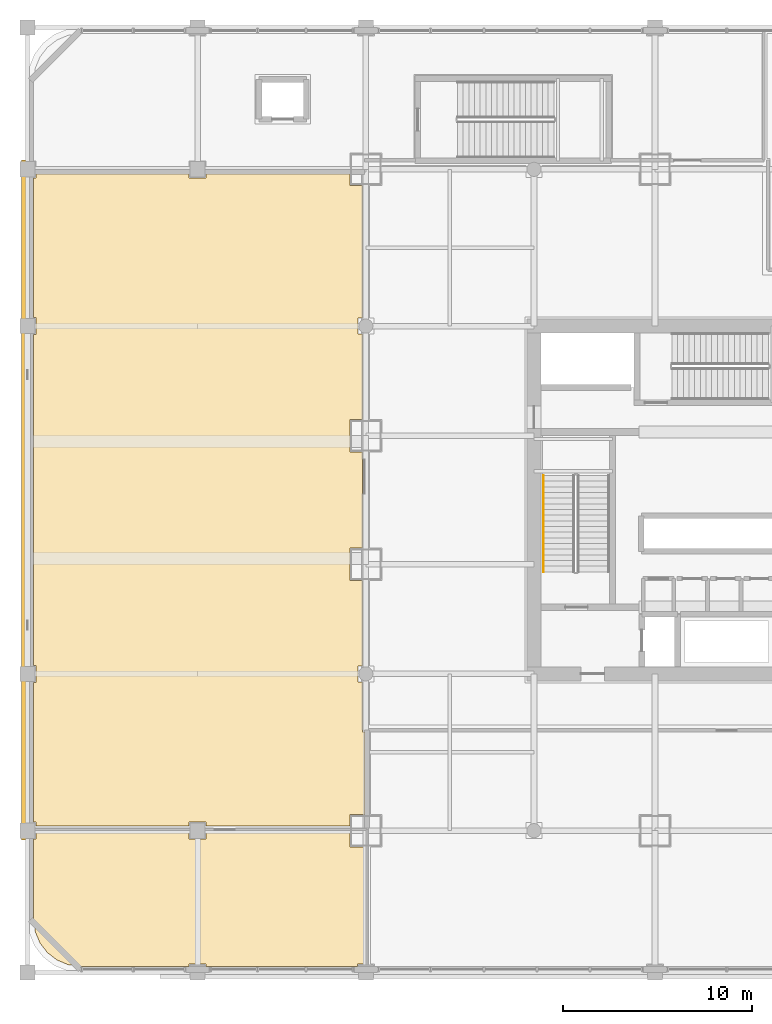
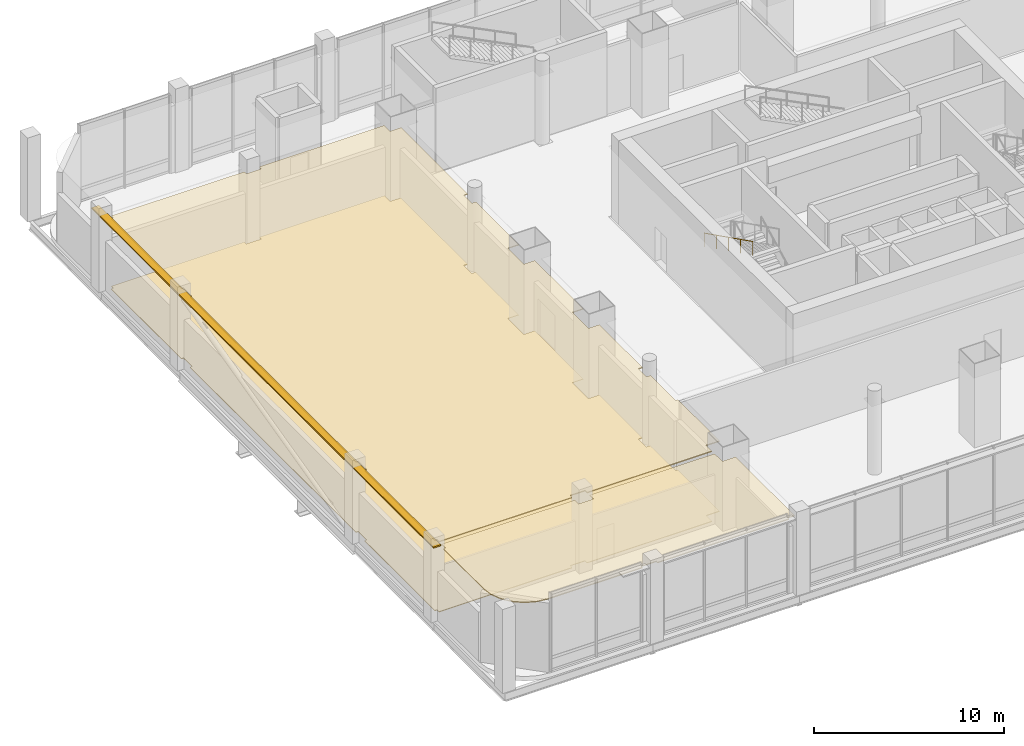
# One storey, part 26 of 35: 3 coverings, 1 railing, 1 shading device.
"""IFC4 building model written with IfcOpenShell, lengths in metres."""

from ifc_helpers import new_model, si_unit, direction, frame, origin, origin_2d, place, context, subcontext, project, spatial, polyline, rectangle, circle, outline, extrude, material, layer, layer_set, material_profile, profile_set, type_object, element, save


model = new_model("IFC4")

# Units and contexts
model_context = context("Model", 3, precision=1e-05, world=origin(), true_north=direction((0.0, 1.0)))
body_context = subcontext(model_context, "Body", "Model", "MODEL_VIEW")
ifc_project = project(units=[si_unit("LENGTHUNIT", "METRE"), si_unit("AREAUNIT", "SQUARE_METRE"), si_unit("VOLUMEUNIT", "CUBIC_METRE"), si_unit("PLANEANGLEUNIT", "RADIAN"), si_unit("MASSUNIT", "GRAM", prefix="KILO")], contexts=[model_context])

# Site, building, storey
site_placement = place(None, origin())
site = spatial("IfcSite", under=ifc_project, at=site_placement, CompositionType="ELEMENT")
building_placement = place(site_placement, origin())
building = spatial("IfcBuilding", under=site, at=building_placement, Name="Punatoya Terracotta Tower", CompositionType="ELEMENT")
storey_placement = place(building_placement, frame((0.0, 0.0, 16.800048828125)))
storey = spatial("IfcBuildingStorey", under=building, at=storey_placement, Name="L03", CompositionType="ELEMENT", Elevation=16.800048828125)

# Coverings
ifc_material_1 = material(Name="Acoustic Mineral Fibre Ceiling")
ifc_layer_1 = layer(ifc_material_1, 0.06005859375)
ifc_layer_set_1 = layer_set([ifc_layer_1], Name="Acoustic Mineral Fibre Ceiling")
covering_type_1 = type_object("IfcCoveringType", Name="COV-CEIL-60", PredefinedType="CEILING", material=ifc_layer_set_1)
covering_1_placement = place(storey_placement, frame((0.0, 0.0, 4.5)))
element("IfcCovering", 1, at=covering_1_placement, inside=storey, type_object=covering_type_1, Name="L03 South-West Projection and Acoustic Control Room Acoustic Ceiling", PredefinedType="CEILING", context=body_context, shape_type="SweptSolid", body=[
    extrude(outline(polyline([(-34.178955078125, -24.679931640625), (-28.449951171875, -24.679931640625), (-28.449951171875, -24.550048828125), (-27.550048828125, -24.550048828125), (-27.550048828125, -24.679931640625), (-19.550048828125, -24.679931640625), (-19.550048828125, -24.550048828125), (-19.139892578125, -24.550048828125), (-19.139892578125, -18.35009765625), (-19.949951171875, -18.35009765625), (-19.949951171875, -17.5400390625), (-27.550048828125, -17.5400390625), (-27.550048828125, -17.949951171875), (-28.449951171875, -17.949951171875), (-28.449951171875, -17.5400390625), (-36.550048828125, -17.5400390625), (-36.550048828125, -17.949951171875), (-36.679931640625, -17.949951171875), (-36.679931640625, -22.178955078125), (-36.5927734375, -22.84130859375), (-36.345458984375, -23.438720703125), (-35.95166015625, -23.95166015625), (-35.438720703125, -24.345458984375), (-34.84130859375, -24.5927734375), (-34.178955078125, -24.679931640625)])), origin(), (0.0, 0.0, 1.0), 0.06005859375),
])
covering_2_placement = place(storey_placement, frame((0.0, 0.0, 4.5)))
element("IfcCovering", 2, at=covering_2_placement, inside=storey, type_object=covering_type_1, Name="L03 Column-Free 450-Seat Corporate Auditorium Acoustic Ceiling", PredefinedType="CEILING", context=body_context, shape_type="SweptSolid", body=[
    extrude(outline(polyline([(-36.550048828125, 17.260009765625), (-36.550048828125, 17.050048828125), (-36.679931640625, 17.050048828125), (-36.679931640625, 9.64990234375), (-36.550048828125, 9.64990234375), (-36.550048828125, 8.75), (-36.679931640625, 8.75), (-36.679931640625, -8.75), (-36.550048828125, -8.75), (-36.550048828125, -9.64990234375), (-36.679931640625, -9.64990234375), (-36.679931640625, -17.050048828125), (-36.550048828125, -17.050048828125), (-36.550048828125, -17.260009765625), (-28.449951171875, -17.260009765625), (-28.449951171875, -17.050048828125), (-27.550048828125, -17.050048828125), (-27.550048828125, -17.260009765625), (-19.949951171875, -17.260009765625), (-19.949951171875, -16.64990234375), (-19.139892578125, -16.64990234375), (-19.139892578125, -12.280029296875), (-19.280029296875, -12.280029296875), (-19.280029296875, -9.625), (-19.52490234375, -9.625), (-19.52490234375, -8.77490234375), (-19.280029296875, -8.77490234375), (-19.280029296875, -4.25), (-19.949951171875, -4.25), (-19.949951171875, -2.550048828125), (-19.280029296875, -2.550048828125), (-19.280029296875, 2.550048828125), (-19.949951171875, 2.550048828125), (-19.949951171875, 4.25), (-19.280029296875, 4.25), (-19.280029296875, 8.77490234375), (-19.52490234375, 8.77490234375), (-19.52490234375, 9.625), (-19.280029296875, 9.625), (-19.280029296875, 16.64990234375), (-19.949951171875, 16.64990234375), (-19.949951171875, 17.260009765625), (-27.550048828125, 17.260009765625), (-27.550048828125, 17.050048828125), (-28.449951171875, 17.050048828125), (-28.449951171875, 17.260009765625), (-36.550048828125, 17.260009765625)])), origin(), (0.0, 0.0, 1.0), 0.06005859375),
])
ifc_material_2 = material(Name="Sandstone & Raised Access Flooring", Category="masonry")
ifc_layer_2 = layer(ifc_material_2, 0.080078125)
ifc_layer_set_2 = layer_set([ifc_layer_2], Name="Sandstone & Raised Access Flooring")
covering_type_2 = type_object("IfcCoveringType", Name="COV-FLR-80", PredefinedType="FLOORING", material=ifc_layer_set_2)
covering_3_placement = place(storey_placement, origin())
element("IfcCovering", 3, at=covering_3_placement, inside=storey, type_object=covering_type_2, Name="L03 Column-Free 450-Seat Corporate Auditorium Stone Floor Finish", PredefinedType="FLOORING", context=body_context, shape_type="SweptSolid", body=[
    extrude(outline(polyline([(-36.550048828125, 17.260009765625), (-36.550048828125, 17.050048828125), (-36.679931640625, 17.050048828125), (-36.679931640625, 9.64990234375), (-36.550048828125, 9.64990234375), (-36.550048828125, 8.75), (-36.679931640625, 8.75), (-36.679931640625, -8.75), (-36.550048828125, -8.75), (-36.550048828125, -9.64990234375), (-36.679931640625, -9.64990234375), (-36.679931640625, -17.050048828125), (-36.550048828125, -17.050048828125), (-36.550048828125, -17.260009765625), (-28.449951171875, -17.260009765625), (-28.449951171875, -17.050048828125), (-27.550048828125, -17.050048828125), (-27.550048828125, -17.260009765625), (-19.949951171875, -17.260009765625), (-19.949951171875, -16.64990234375), (-19.139892578125, -16.64990234375), (-19.139892578125, -12.280029296875), (-19.280029296875, -12.280029296875), (-19.280029296875, -9.625), (-19.52490234375, -9.625), (-19.52490234375, -8.77490234375), (-19.280029296875, -8.77490234375), (-19.280029296875, -4.25), (-19.949951171875, -4.25), (-19.949951171875, -2.550048828125), (-19.280029296875, -2.550048828125), (-19.280029296875, 2.550048828125), (-19.949951171875, 2.550048828125), (-19.949951171875, 4.25), (-19.280029296875, 4.25), (-19.280029296875, 8.77490234375), (-19.52490234375, 8.77490234375), (-19.52490234375, 9.625), (-19.280029296875, 9.625), (-19.280029296875, 16.64990234375), (-19.949951171875, 16.64990234375), (-19.949951171875, 17.260009765625), (-27.550048828125, 17.260009765625), (-27.550048828125, 17.050048828125), (-28.449951171875, 17.050048828125), (-28.449951171875, 17.260009765625), (-36.550048828125, 17.260009765625)])), origin(), (0.0, 0.0, 1.0), 0.0400390625),
])

# Railing
ifc_material_3 = material(Name="Steel S355", Category="steel")
railing_type = type_object("IfcRailingType", Name="RLG-HND-900", PredefinedType="HANDRAIL", material=ifc_material_3)
railing_placement = place(storey_placement, frame((-9.699951171875, 1.300048828125, 2.849853515625)))
element("IfcRailing", 4, at=railing_placement, inside=storey, type_object=railing_type, Name="L03 ST-1 stair handrail 2", PredefinedType="HANDRAIL", context=body_context, shape_type="SweptSolid", body=[
    extrude(circle(Radius=0.02392578125, at=origin_2d()), frame((0.0, 0.0, 0.8759765625), z_axis=(0.0, -0.894427191, 0.4472135955), x_axis=(1.0, 0.0, 0.0)), (0.0, 0.0, 1.0), 5.7021484375),
    extrude(circle(Radius=0.02099609375, at=origin_2d()), origin(), (0.0, 0.0, 1.0), 0.851806640625),
    extrude(circle(Radius=0.02099609375, at=origin_2d()), frame((0.0, -1.27490234375, 0.637451171875)), (0.0, 0.0, 1.0), 0.851806640625),
    extrude(circle(Radius=0.02099609375, at=origin_2d()), frame((0.0, -2.550048828125, 1.27490234375)), (0.0, 0.0, 1.0), 0.851806640625),
    extrude(circle(Radius=0.02099609375, at=origin_2d()), frame((0.0, -3.8251953125, 1.91259765625)), (0.0, 0.0, 1.0), 0.851806640625),
    extrude(circle(Radius=0.02099609375, at=origin_2d()), frame((0.0, -5.10009765625, 2.550048828125)), (0.0, 0.0, 1.0), 0.851806640625),
])

# Shading device
ifc_material_4 = material(Name="Architectural Fired Terracotta", Category="masonry")
ifc_material_profile = material_profile(ifc_material_4, rectangle(XDim=0.449951171875, YDim=0.080078125, at=origin_2d()))
ifc_profile_set = profile_set([ifc_material_profile], Name="Architectural Fired Terracotta")
shading_device_type = type_object("IfcShadingDeviceType", Name="SHD-CHAJ-450", PredefinedType="USERDEFINED", material=ifc_profile_set)
shading_device_placement = place(storey_placement, frame((-37.090087890625, -18.0, 4.869873046875), z_axis=(0.0, 1.0, 0.0), x_axis=(-1.0, 0.0, 0.0)))
element("IfcShadingDevice", 5, at=shading_device_placement, inside=storey, type_object=shading_device_type, Name="L03 Projecting Terracotta Chhajja Sunshade 2", ObjectType="SUNSHADE", PredefinedType="USERDEFINED", context=body_context, shape_type="SweptSolid", body=[
    extrude(rectangle(XDim=0.449951171875, YDim=0.080078125, at=origin_2d()), origin(), (0.0, 0.0, 1.0), 36.0),
])

save(model, "model.ifc")
